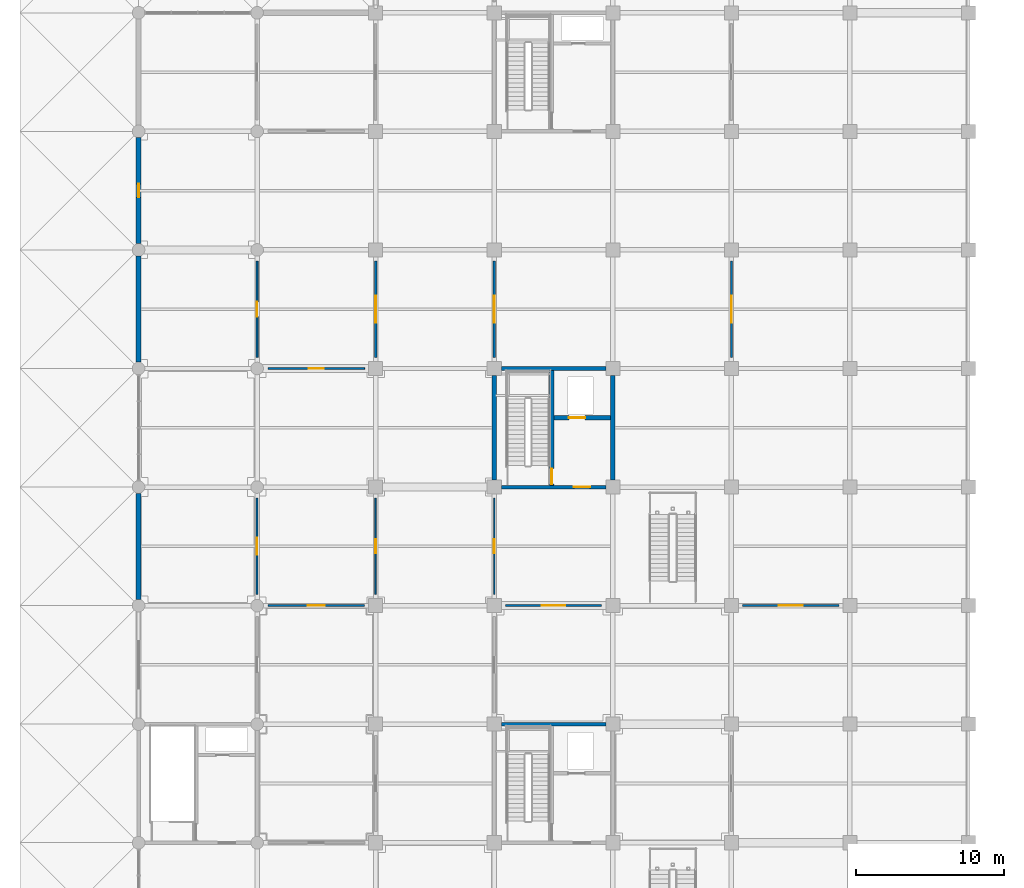
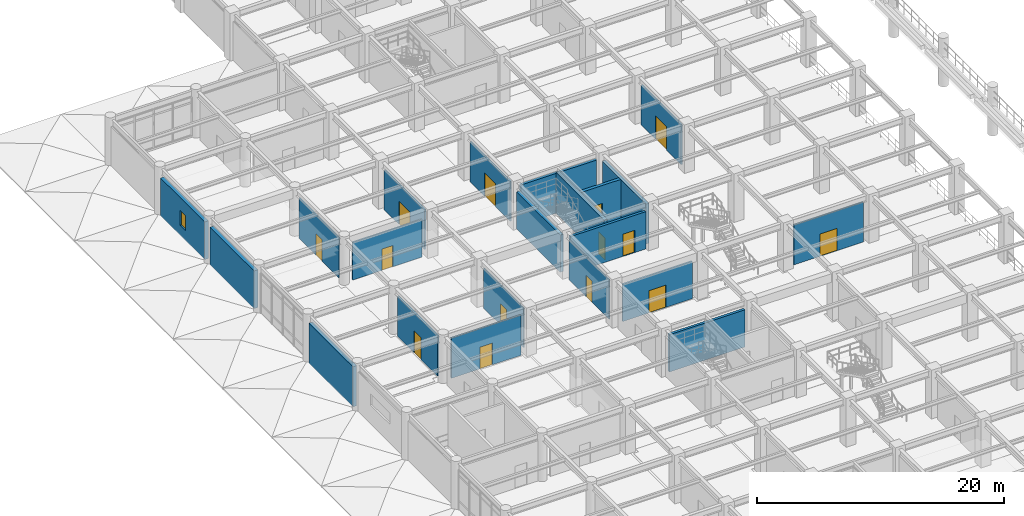
# One storey, part 72 of 109: 21 walls, 14 doors, 1 window, 15 openings.
"""IFC4 building model written with IfcOpenShell, lengths in metres."""

from ifc_helpers import new_model, si_unit, direction, frame, frame_2d, origin, place, context, subcontext, project, spatial, rectangle, extrude, material, layer, layer_set, type_object, element, fill, save


model = new_model("IFC4")

# Units and contexts
model_context = context("Model", 3, precision=1e-05, world=origin(), true_north=direction((0.0, 1.0)))
body_context = subcontext(model_context, "Body", "Model", "MODEL_VIEW")
ifc_project = project(units=[si_unit("LENGTHUNIT", "METRE"), si_unit("AREAUNIT", "SQUARE_METRE"), si_unit("VOLUMEUNIT", "CUBIC_METRE"), si_unit("PLANEANGLEUNIT", "RADIAN"), si_unit("MASSUNIT", "GRAM", prefix="KILO")], contexts=[model_context])

# Site, building, storey
site_placement = place(None, origin())
site = spatial("IfcSite", under=ifc_project, at=site_placement, CompositionType="ELEMENT")
building_placement = place(site_placement, origin())
building = spatial("IfcBuilding", under=site, at=building_placement, Name="Haebicheon Civic Stadium", CompositionType="ELEMENT")
storey_placement = place(building_placement, frame((0.0, 0.0, 9.60009765625)))
storey = spatial("IfcBuildingStorey", under=building, at=storey_placement, Name="L03", CompositionType="ELEMENT", Elevation=9.60009765625)

# Wall
ifc_material_1 = material(Name="Concrete C40/50", Category="concrete")
ifc_layer_1 = layer(ifc_material_1, 0.239990234375, Name="Concrete C40/50")
ifc_layer_set_1 = layer_set([ifc_layer_1], Name="Concrete C40/50")
wall_type_1 = type_object("IfcWallType", Name="CW-SHR-240", PredefinedType="SHEAR", material=ifc_layer_set_1)
wall_1_placement = place(storey_placement, frame((32.47509765625, 88.0, 0.0), z_axis=(0.0, 0.0, 1.0), x_axis=(1.0, 0.0, 0.0)))
element("IfcWall", 1, at=wall_1_placement, inside=storey, type_object=wall_type_1, material=ifc_layer_set_1, Name="KC-03 L03 north core shear wall", PredefinedType="SHEAR", context=body_context, shape_type="SweptSolid", body=[
    extrude(rectangle(XDim=7.0498046875, YDim=0.239990234375, at=frame_2d((3.52490234375, 0.0))), origin(), (0.0, 0.0, 1.0), 3.679931640625),
])

# Wall, opening, door
wall_2_placement = place(storey_placement, frame((32.47509765625, 104.0, 0.0), z_axis=(0.0, 0.0, 1.0), x_axis=(1.0, 0.0, 0.0)))
wall_2 = element("IfcWall", 2, at=wall_2_placement, inside=storey, type_object=wall_type_1, material=ifc_layer_set_1, Name="KC-04 L03 south core shear wall", PredefinedType="SHEAR", context=body_context, shape_type="SweptSolid", body=[
    extrude(rectangle(XDim=7.0498046875, YDim=0.239990234375, at=frame_2d((3.52490234375, 0.0))), origin(), (0.0, 0.0, 1.0), 3.679931640625),
])
opening_1_placement = place(wall_2_placement, frame((4.89990234375, 0.0, 0.0)))
opening_1 = element("IfcOpeningElement", 3, at=opening_1_placement, cuts=wall_2, Name="Opening D-L03-KC-04-LOB", PredefinedType="OPENING", context=body_context, shape_type="SweptSolid", body=[
    extrude(rectangle(XDim=1.10009765625, YDim=2.199951171875, at=frame_2d((0.550048828125, 1.10009765625))), frame((0.0, 0.1298828125, 0.0), z_axis=(0.0, -1.0, 0.0), x_axis=(1.0, 0.0, 0.0)), (0.0, 0.0, 1.0), 0.260009765625),
])
ifc_material_2 = material(Name="Galvanised painted steel SM355", Category="steel")
door_type_1 = type_object("IfcDoorType", Name="ID-FD-1100", OperationType="NOTDEFINED", PredefinedType="DOOR", material=ifc_material_2)
door_1_placement = place(opening_1_placement, origin())
door_1 = element("IfcDoor", 4, at=door_1_placement, inside=storey, type_object=door_type_1, material=ifc_material_2, Name="L03 KC-04 lobby fire door", OperationType="SINGLE_SWING_RIGHT", OverallHeight=2.199951171875, OverallWidth=1.10009765625, PredefinedType="DOOR", context=body_context, shape_type="SweptSolid", body=[
    extrude(rectangle(XDim=1.10009765625, YDim=2.199951171875, at=frame_2d((0.550048828125, 1.10009765625))), frame((0.0, 0.02490234375, 0.0), z_axis=(0.0, -1.0, 0.0), x_axis=(1.0, 0.0, 0.0)), (0.0, 0.0, 1.0), 0.050048828125),
])
fill(opening_1, door_1)

# Walls
wall_3_placement = place(storey_placement, frame((32.47509765625, 112.0, 0.0), z_axis=(0.0, 0.0, 1.0), x_axis=(1.0, 0.0, 0.0)))
element("IfcWall", 5, at=wall_3_placement, inside=storey, type_object=wall_type_1, material=ifc_layer_set_1, Name="KC-04 L03 north core shear wall", PredefinedType="SHEAR", context=body_context, shape_type="SweptSolid", body=[
    extrude(rectangle(XDim=7.0498046875, YDim=0.239990234375, at=frame_2d((3.52490234375, 0.0))), origin(), (0.0, 0.0, 1.0), 3.929931640625),
])
ifc_material_3 = material(Name="Concrete C40/50", Category="concrete")
ifc_layer_2 = layer(ifc_material_3, 0.300048828125, Name="Concrete C40/50")
ifc_layer_set_2 = layer_set([ifc_layer_2], Name="Concrete C40/50")
wall_type_2 = type_object("IfcWallType", Name="CW-SHR-300", PredefinedType="SHEAR", material=ifc_layer_set_2)
wall_4_placement = place(storey_placement, frame((32.0, 104.47509765625, 0.0), z_axis=(0.0, 0.0, 1.0), x_axis=(0.0, 1.0, 0.0)))
element("IfcWall", 6, at=wall_4_placement, inside=storey, type_object=wall_type_2, material=ifc_layer_set_2, Name="KC-04 L03 west core shear wall", PredefinedType="SHEAR", context=body_context, shape_type="SweptSolid", body=[
    extrude(rectangle(XDim=7.0498046875, YDim=0.300048828125, at=frame_2d((3.52490234375, 0.0))), origin(), (0.0, 0.0, 1.0), 3.679931640625),
])
wall_5_placement = place(storey_placement, frame((40.0, 104.47509765625, 0.0), z_axis=(0.0, 0.0, 1.0), x_axis=(0.0, 1.0, 0.0)))
element("IfcWall", 7, at=wall_5_placement, inside=storey, type_object=wall_type_2, material=ifc_layer_set_2, Name="KC-04 L03 east core shear wall", PredefinedType="SHEAR", context=body_context, shape_type="SweptSolid", body=[
    extrude(rectangle(XDim=7.0498046875, YDim=0.300048828125, at=frame_2d((3.52490234375, 0.0))), origin(), (0.0, 0.0, 1.0), 3.929931640625),
])

# Wall, opening, door
wall_6_placement = place(storey_placement, frame((35.8798828125, 104.1201171875, 0.0), z_axis=(0.0, 0.0, 1.0), x_axis=(0.0, 1.0, 0.0)))
wall_6 = element("IfcWall", 8, at=wall_6_placement, inside=storey, type_object=wall_type_2, material=ifc_layer_set_2, Name="KC-04 L03 stair-lobby dividing shear wall", PredefinedType="SHEAR", context=body_context, shape_type="SweptSolid", body=[
    extrude(rectangle(XDim=7.759765625, YDim=0.300048828125, at=frame_2d((3.8798828125, 0.0))), origin(), (0.0, 0.0, 1.0), 4.02978515625),
])
opening_2_placement = place(wall_6_placement, frame((0.080078125, 0.0, 0.0)))
opening_2 = element("IfcOpeningElement", 9, at=opening_2_placement, cuts=wall_6, Name="Opening D-L03-KC-04-STR", PredefinedType="OPENING", context=body_context, shape_type="SweptSolid", body=[
    extrude(rectangle(XDim=1.050048828125, YDim=2.14990234375, at=frame_2d((0.52490234375, 1.074951171875))), frame((0.0, 0.159912109375, 0.0), z_axis=(0.0, -1.0, 0.0), x_axis=(1.0, 0.0, 0.0)), (0.0, 0.0, 1.0), 0.320068359375),
])
ifc_material_4 = material(Name="Galvanised painted steel SM355", Category="steel")
door_type_2 = type_object("IfcDoorType", Name="ID-FD-1050", OperationType="NOTDEFINED", PredefinedType="DOOR", material=ifc_material_4)
door_2_placement = place(opening_2_placement, origin())
door_2 = element("IfcDoor", 10, at=door_2_placement, inside=storey, type_object=door_type_2, material=ifc_material_4, Name="L03 ST-04 stairwell escape door", OperationType="SINGLE_SWING_LEFT", OverallHeight=2.14990234375, OverallWidth=1.050048828125, PredefinedType="DOOR", context=body_context, shape_type="SweptSolid", body=[
    extrude(rectangle(XDim=1.050048828125, YDim=2.14990234375, at=frame_2d((0.52490234375, 1.074951171875))), frame((0.0, 0.02490234375, 0.0), z_axis=(0.0, -1.0, 0.0), x_axis=(1.0, 0.0, 0.0)), (0.0, 0.0, 1.0), 0.050048828125),
])
fill(opening_2, door_2)

wall_7_placement = place(storey_placement, frame((36.030029296875, 108.679931640625, 0.0), z_axis=(0.0, 0.0, 1.0), x_axis=(1.0, 0.0, 0.0)))
wall_7 = element("IfcWall", 11, at=wall_7_placement, inside=storey, type_object=wall_type_2, material=ifc_layer_set_2, Name="KC-04 L03 lift shaft front wall", PredefinedType="SHEAR", context=body_context, shape_type="SweptSolid", body=[
    extrude(rectangle(XDim=3.820068359375, YDim=0.300048828125, at=frame_2d((1.91015625, 0.0))), origin(), (0.0, 0.0, 1.0), 3.929931640625),
])
opening_3_placement = place(wall_7_placement, frame((1.0, 0.0, 0.0)))
opening_3 = element("IfcOpeningElement", 12, at=opening_3_placement, cuts=wall_7, Name="Opening LD-04-L03", PredefinedType="OPENING", context=body_context, shape_type="SweptSolid", body=[
    extrude(rectangle(XDim=1.10009765625, YDim=2.14990234375, at=frame_2d((0.550048828125, 1.074951171875))), frame((0.0, 0.159912109375, 0.0), z_axis=(0.0, -1.0, 0.0), x_axis=(1.0, 0.0, 0.0)), (0.0, 0.0, 1.0), 0.320068359375),
])
ifc_material_5 = material(Name="Stainless steel 316", Category="steel")
door_type_3 = type_object("IfcDoorType", Name="ID-LD-1100", OperationType="NOTDEFINED", PredefinedType="DOOR", material=ifc_material_5)
door_3_placement = place(opening_3_placement, origin())
door_3 = element("IfcDoor", 13, at=door_3_placement, inside=storey, type_object=door_type_3, material=ifc_material_5, Name="LF-04 lift landing sliding door L03", OperationType="SLIDING_TO_LEFT", OverallHeight=2.14990234375, OverallWidth=1.10009765625, PredefinedType="DOOR", context=body_context, shape_type="SweptSolid", body=[
    extrude(rectangle(XDim=1.10009765625, YDim=2.14990234375, at=frame_2d((0.550048828125, 1.074951171875))), frame((0.0, 0.02490234375, 0.0), z_axis=(0.0, -1.0, 0.0), x_axis=(1.0, 0.0, 0.0)), (0.0, 0.0, 1.0), 0.050048828125),
])
fill(opening_3, door_3)

# Walls
ifc_material_6 = material(Name="Concrete C40/50", Category="concrete")
ifc_layer_3 = layer(ifc_material_6, 0.35009765625, Name="Concrete C40/50")
ifc_layer_set_3 = layer_set([ifc_layer_3], Name="Concrete C40/50")
wall_type_3 = type_object("IfcWallType", Name="EW-BM-350", PredefinedType="SOLIDWALL", material=ifc_layer_set_3)
wall_8_placement = place(storey_placement, frame((8.0, 96.425048828125, 0.0), z_axis=(0.0, 0.0, 1.0), x_axis=(0.0, 1.0, 0.0)))
element("IfcWall", 14, at=wall_8_placement, inside=storey, type_object=wall_type_3, material=ifc_layer_set_3, Name="L03 board-marked concrete facade wall 01-12-W", PredefinedType="SOLIDWALL", context=body_context, shape_type="SweptSolid", body=[
    extrude(rectangle(XDim=7.14990234375, YDim=0.35009765625, at=frame_2d((3.574951171875, 0.0))), origin(), (0.0, 0.0, 1.0), 3.949951171875),
])
wall_9_placement = place(storey_placement, frame((8.0, 112.425048828125, 0.0), z_axis=(0.0, 0.0, 1.0), x_axis=(0.0, 1.0, 0.0)))
element("IfcWall", 15, at=wall_9_placement, inside=storey, type_object=wall_type_3, material=ifc_layer_set_3, Name="L03 board-marked concrete facade wall 01-14-W", PredefinedType="SOLIDWALL", context=body_context, shape_type="SweptSolid", body=[
    extrude(rectangle(XDim=7.14990234375, YDim=0.35009765625, at=frame_2d((3.574951171875, 0.0))), origin(), (0.0, 0.0, 1.0), 3.719970703125),
])

# Wall, opening, window
wall_10_placement = place(storey_placement, frame((8.0, 120.425048828125, 0.0), z_axis=(0.0, 0.0, 1.0), x_axis=(0.0, 1.0, 0.0)))
wall_10 = element("IfcWall", 16, at=wall_10_placement, inside=storey, type_object=wall_type_3, material=ifc_layer_set_3, Name="L03 board-marked concrete facade wall 01-15-W", PredefinedType="SOLIDWALL", context=body_context, shape_type="SweptSolid", body=[
    extrude(rectangle(XDim=7.14990234375, YDim=0.35009765625, at=frame_2d((3.574951171875, 0.0))), origin(), (0.0, 0.0, 1.0), 3.719970703125),
])
opening_4_placement = place(wall_10_placement, frame((3.125, 0.0, 0.949951171875)))
opening_4 = element("IfcOpeningElement", 17, at=opening_4_placement, cuts=wall_10, Name="Opening WIN-090x150", PredefinedType="OPENING", context=body_context, shape_type="SweptSolid", body=[
    extrude(rectangle(XDim=0.89990234375, YDim=1.5, at=frame_2d((0.449951171875, 0.75))), frame((0.0, 0.18505859375, 0.0), z_axis=(0.0, -1.0, 0.0), x_axis=(1.0, 0.0, 0.0)), (0.0, 0.0, 1.0), 0.3701171875),
])
ifc_material_7 = material(Name="Anodised aluminium and laminated glass", Category="aluminium")
window_type = type_object("IfcWindowType", Name="WIN-090x150", PartitioningType="SINGLE_PANEL", PredefinedType="WINDOW", material=ifc_material_7)
window_placement = place(opening_4_placement, origin())
window = element("IfcWindow", 18, at=window_placement, inside=storey, type_object=window_type, material=ifc_material_7, Name="L03 facade window 067", OverallHeight=1.5, OverallWidth=0.89990234375, PartitioningType="SINGLE_PANEL", PredefinedType="WINDOW", context=body_context, shape_type="SweptSolid", body=[
    extrude(rectangle(XDim=0.89990234375, YDim=1.5, at=frame_2d((0.449951171875, 0.75))), frame((0.0, 0.030029296875, 0.0), z_axis=(0.0, -1.0, 0.0), x_axis=(1.0, 0.0, 0.0)), (0.0, 0.0, 1.0), 0.06005859375),
])
fill(opening_4, window)

# Wall, opening, door
ifc_material_8 = material(Name="Anodised aluminium and laminated glass", Category="aluminium")
ifc_layer_4 = layer(ifc_material_8, 0.10009765625, Name="Anodised aluminium and laminated glass")
ifc_layer_set_4 = layer_set([ifc_layer_4], Name="Anodised aluminium and laminated glass")
wall_type_4 = type_object("IfcWallType", Name="IW-PRT-100", PredefinedType="PARTITIONING", material=ifc_layer_set_4)
wall_11_placement = place(storey_placement, frame((24.0, 96.75, 0.0), z_axis=(0.0, 0.0, 1.0), x_axis=(0.0, 1.0, 0.0)))
wall_11 = element("IfcWall", 19, at=wall_11_placement, inside=storey, type_object=wall_type_4, material=ifc_layer_set_4, Name="L03 Supporters' Club Lounge partition wall", PredefinedType="PARTITIONING", context=body_context, shape_type="SweptSolid", body=[
    extrude(rectangle(XDim=6.5, YDim=0.10009765625, at=frame_2d((3.25, 0.0))), origin(), (0.0, 0.0, 1.0), 3.929931640625),
])
opening_5_placement = place(wall_11_placement, frame((2.77490234375, 0.0, 0.0)))
opening_5 = element("IfcOpeningElement", 20, at=opening_5_placement, cuts=wall_11, Name="Opening D-L03-269", PredefinedType="OPENING", context=body_context, shape_type="SweptSolid", body=[
    extrude(rectangle(XDim=0.949951171875, YDim=2.10009765625, at=frame_2d((0.47509765625, 1.050048828125))), frame((0.0, 0.06005859375, 0.0), z_axis=(0.0, -1.0, 0.0), x_axis=(1.0, 0.0, 0.0)), (0.0, 0.0, 1.0), 0.1201171875),
])
ifc_material_9 = material(Name="Engineered hardwood timber", Category="wood")
door_type_4 = type_object("IfcDoorType", Name="ID-RM-0950", OperationType="NOTDEFINED", PredefinedType="DOOR", material=ifc_material_9)
door_4_placement = place(opening_5_placement, origin())
door_4 = element("IfcDoor", 21, at=door_4_placement, inside=storey, type_object=door_type_4, material=ifc_material_9, Name="L03 Supporters' Club Lounge entrance door D-L03-269", OperationType="SINGLE_SWING_LEFT", OverallHeight=2.10009765625, OverallWidth=0.949951171875, PredefinedType="DOOR", context=body_context, shape_type="SweptSolid", body=[
    extrude(rectangle(XDim=0.949951171875, YDim=2.10009765625, at=frame_2d((0.47509765625, 1.050048828125))), frame((0.0, 0.02490234375, 0.0), z_axis=(0.0, -1.0, 0.0), x_axis=(1.0, 0.0, 0.0)), (0.0, 0.0, 1.0), 0.050048828125),
])
fill(opening_5, door_4)

wall_12_placement = place(storey_placement, frame((32.0, 96.75, 0.0), z_axis=(0.0, 0.0, 1.0), x_axis=(0.0, 1.0, 0.0)))
wall_12 = element("IfcWall", 22, at=wall_12_placement, inside=storey, type_object=wall_type_4, material=ifc_layer_set_4, Name="L03 Supporters' Club Lounge partition wall", PredefinedType="PARTITIONING", context=body_context, shape_type="SweptSolid", body=[
    extrude(rectangle(XDim=6.5, YDim=0.10009765625, at=frame_2d((3.25, 0.0))), origin(), (0.0, 0.0, 1.0), 3.929931640625),
])
opening_6_placement = place(wall_12_placement, frame((2.77490234375, 0.0, 0.0)))
opening_6 = element("IfcOpeningElement", 23, at=opening_6_placement, cuts=wall_12, Name="Opening D-L03-277", PredefinedType="OPENING", context=body_context, shape_type="SweptSolid", body=[
    extrude(rectangle(XDim=0.949951171875, YDim=2.10009765625, at=frame_2d((0.47509765625, 1.050048828125))), frame((0.0, 0.06005859375, 0.0), z_axis=(0.0, -1.0, 0.0), x_axis=(1.0, 0.0, 0.0)), (0.0, 0.0, 1.0), 0.1201171875),
])
door_5_placement = place(opening_6_placement, origin())
door_5 = element("IfcDoor", 24, at=door_5_placement, inside=storey, type_object=door_type_4, material=ifc_material_9, Name="L03 Supporters' Club Lounge entrance door D-L03-277", OperationType="SINGLE_SWING_LEFT", OverallHeight=2.10009765625, OverallWidth=0.949951171875, PredefinedType="DOOR", context=body_context, shape_type="SweptSolid", body=[
    extrude(rectangle(XDim=0.949951171875, YDim=2.10009765625, at=frame_2d((0.47509765625, 1.050048828125))), frame((0.0, 0.02490234375, 0.0), z_axis=(0.0, -1.0, 0.0), x_axis=(1.0, 0.0, 0.0)), (0.0, 0.0, 1.0), 0.050048828125),
])
fill(opening_6, door_5)

ifc_material_10 = material(Name="Gypsum plasterboard on steel studs", Category="gypsum")
ifc_layer_5 = layer(ifc_material_10, 0.1201171875, Name="Gypsum plasterboard on steel studs")
ifc_layer_set_5 = layer_set([ifc_layer_5], Name="Gypsum plasterboard on steel studs")
wall_type_5 = type_object("IfcWallType", Name="IW-PRT-120", PredefinedType="PARTITIONING", material=ifc_layer_set_5)
wall_13_placement = place(storey_placement, frame((16.0, 112.75, 0.0), z_axis=(0.0, 0.0, 1.0), x_axis=(0.0, 1.0, 0.0)))
wall_13 = element("IfcWall", 25, at=wall_13_placement, inside=storey, type_object=wall_type_5, material=ifc_layer_set_5, Name="L03 West Boulevard Viewing Gallery partition wall", PredefinedType="PARTITIONING", context=body_context, shape_type="SweptSolid", body=[
    extrude(rectangle(XDim=6.5, YDim=0.1201171875, at=frame_2d((3.25, 0.0))), origin(), (0.0, 0.0, 1.0), 3.969970703125),
])
opening_7_placement = place(wall_13_placement, frame((2.75, 0.0, 0.0)))
opening_7 = element("IfcOpeningElement", 26, at=opening_7_placement, cuts=wall_13, Name="Opening D-L03-342", PredefinedType="OPENING", context=body_context, shape_type="SweptSolid", body=[
    extrude(rectangle(XDim=1.0, YDim=2.10009765625, at=frame_2d((0.5, 1.050048828125))), frame((0.0, 0.070068359375, 0.0), z_axis=(0.0, -1.0, 0.0), x_axis=(1.0, 0.0, 0.0)), (0.0, 0.0, 1.0), 0.14013671875),
])
ifc_material_11 = material(Name="Engineered hardwood timber", Category="wood")
door_type_5 = type_object("IfcDoorType", Name="ID-RM-1000", OperationType="NOTDEFINED", PredefinedType="DOOR", material=ifc_material_11)
door_6_placement = place(opening_7_placement, origin())
door_6 = element("IfcDoor", 27, at=door_6_placement, inside=storey, type_object=door_type_5, material=ifc_material_11, Name="L03 West Boulevard Viewing Gallery entrance door D-L03-342", OperationType="SINGLE_SWING_RIGHT", OverallHeight=2.10009765625, OverallWidth=1.0, PredefinedType="DOOR", context=body_context, shape_type="SweptSolid", body=[
    extrude(rectangle(XDim=1.0, YDim=2.10009765625, at=frame_2d((0.5, 1.050048828125))), frame((0.0, 0.02490234375, 0.0), z_axis=(0.0, -1.0, 0.0), x_axis=(1.0, 0.0, 0.0)), (0.0, 0.0, 1.0), 0.050048828125),
])
fill(opening_7, door_6)

ifc_material_12 = material(Name="Gypsum plasterboard on steel studs", Category="gypsum")
ifc_layer_6 = layer(ifc_material_12, 0.1298828125, Name="Gypsum plasterboard on steel studs")
ifc_layer_set_6 = layer_set([ifc_layer_6], Name="Gypsum plasterboard on steel studs")
wall_type_6 = type_object("IfcWallType", Name="IW-PRT-130", PredefinedType="PARTITIONING", material=ifc_layer_set_6)
wall_14_placement = place(storey_placement, frame((16.75, 112.0, 0.0), z_axis=(0.0, 0.0, 1.0), x_axis=(1.0, 0.0, 0.0)))
wall_14 = element("IfcWall", 28, at=wall_14_placement, inside=storey, type_object=wall_type_6, material=ifc_layer_set_6, Name="L03 West Boulevard Viewing Gallery partition wall", PredefinedType="PARTITIONING", context=body_context, shape_type="SweptSolid", body=[
    extrude(rectangle(XDim=6.5, YDim=0.1298828125, at=frame_2d((3.25, 0.0))), origin(), (0.0, 0.0, 1.0), 3.719970703125),
])
opening_8_placement = place(wall_14_placement, frame((2.75, 0.0, 0.0)))
opening_8 = element("IfcOpeningElement", 29, at=opening_8_placement, cuts=wall_14, Name="Opening D-L03-348", PredefinedType="OPENING", context=body_context, shape_type="SweptSolid", body=[
    extrude(rectangle(XDim=1.0, YDim=2.10009765625, at=frame_2d((0.5, 1.050048828125))), frame((0.0, 0.074951171875, 0.0), z_axis=(0.0, -1.0, 0.0), x_axis=(1.0, 0.0, 0.0)), (0.0, 0.0, 1.0), 0.14990234375),
])
door_7_placement = place(opening_8_placement, origin())
door_7 = element("IfcDoor", 30, at=door_7_placement, inside=storey, type_object=door_type_5, material=ifc_material_11, Name="L03 West Boulevard Viewing Gallery entrance door D-L03-348", OperationType="SINGLE_SWING_RIGHT", OverallHeight=2.10009765625, OverallWidth=1.0, PredefinedType="DOOR", context=body_context, shape_type="SweptSolid", body=[
    extrude(rectangle(XDim=1.0, YDim=2.10009765625, at=frame_2d((0.5, 1.050048828125))), frame((0.0, 0.02490234375, 0.0), z_axis=(0.0, -1.0, 0.0), x_axis=(1.0, 0.0, 0.0)), (0.0, 0.0, 1.0), 0.050048828125),
])
fill(opening_8, door_7)

ifc_material_13 = material(Name="Gypsum plasterboard on steel studs", Category="gypsum")
ifc_layer_7 = layer(ifc_material_13, 0.14990234375, Name="Gypsum plasterboard on steel studs")
ifc_layer_set_7 = layer_set([ifc_layer_7], Name="Gypsum plasterboard on steel studs")
wall_type_7 = type_object("IfcWallType", Name="IW-PRT-150", PredefinedType="PARTITIONING", material=ifc_layer_set_7)
wall_15_placement = place(storey_placement, frame((24.0, 112.75, 0.0), z_axis=(0.0, 0.0, 1.0), x_axis=(0.0, 1.0, 0.0)))
wall_15 = element("IfcWall", 31, at=wall_15_placement, inside=storey, type_object=wall_type_7, material=ifc_layer_set_7, Name="L03 Club Dining Hall partition wall", PredefinedType="PARTITIONING", context=body_context, shape_type="SweptSolid", body=[
    extrude(rectangle(XDim=6.5, YDim=0.14990234375, at=frame_2d((3.25, 0.0))), origin(), (0.0, 0.0, 1.0), 3.929931640625),
])
opening_9_placement = place(wall_15_placement, frame((2.35009765625, 0.0, 0.0)))
opening_9 = element("IfcOpeningElement", 32, at=opening_9_placement, cuts=wall_15, Name="Opening D-L03-270", PredefinedType="OPENING", context=body_context, shape_type="SweptSolid", body=[
    extrude(rectangle(XDim=1.800048828125, YDim=2.300048828125, at=frame_2d((0.89990234375, 1.14990234375))), frame((0.0, 0.0849609375, 0.0), z_axis=(0.0, -1.0, 0.0), x_axis=(1.0, 0.0, 0.0)), (0.0, 0.0, 1.0), 0.169921875),
])
ifc_material_14 = material(Name="Galvanised painted steel SM355", Category="steel")
door_type_6 = type_object("IfcDoorType", Name="ID-DBL-1800", OperationType="NOTDEFINED", PredefinedType="DOOR", material=ifc_material_14)
door_8_placement = place(opening_9_placement, origin())
door_8 = element("IfcDoor", 33, at=door_8_placement, inside=storey, type_object=door_type_6, material=ifc_material_14, Name="L03 Club Dining Hall entrance door D-L03-270", OperationType="DOUBLE_SWING_LEFT", OverallHeight=2.300048828125, OverallWidth=1.800048828125, PredefinedType="DOOR", context=body_context, shape_type="SweptSolid", body=[
    extrude(rectangle(XDim=1.800048828125, YDim=2.300048828125, at=frame_2d((0.89990234375, 1.14990234375))), frame((0.0, 0.02490234375, 0.0), z_axis=(0.0, -1.0, 0.0), x_axis=(1.0, 0.0, 0.0)), (0.0, 0.0, 1.0), 0.050048828125),
])
fill(opening_9, door_8)

wall_16_placement = place(storey_placement, frame((32.75, 96.0, 0.0), z_axis=(0.0, 0.0, 1.0), x_axis=(1.0, 0.0, 0.0)))
wall_16 = element("IfcWall", 34, at=wall_16_placement, inside=storey, type_object=wall_type_7, material=ifc_layer_set_7, Name="L03 Supporters' Club Lounge partition wall", PredefinedType="PARTITIONING", context=body_context, shape_type="SweptSolid", body=[
    extrude(rectangle(XDim=6.5, YDim=0.14990234375, at=frame_2d((3.25, 0.0))), origin(), (0.0, 0.0, 1.0), 3.679931640625),
])
opening_10_placement = place(wall_16_placement, frame((2.449951171875, 0.0, 0.0)))
opening_10 = element("IfcOpeningElement", 35, at=opening_10_placement, cuts=wall_16, Name="Opening D-L03-278", PredefinedType="OPENING", context=body_context, shape_type="SweptSolid", body=[
    extrude(rectangle(XDim=1.60009765625, YDim=2.199951171875, at=frame_2d((0.800048828125, 1.10009765625))), frame((0.0, 0.0849609375, 0.0), z_axis=(0.0, -1.0, 0.0), x_axis=(1.0, 0.0, 0.0)), (0.0, 0.0, 1.0), 0.169921875),
])
ifc_material_15 = material(Name="Anodised aluminium and laminated glass", Category="aluminium")
door_type_7 = type_object("IfcDoorType", Name="ID-DBL-1600", OperationType="NOTDEFINED", PredefinedType="DOOR", material=ifc_material_15)
door_9_placement = place(opening_10_placement, origin())
door_9 = element("IfcDoor", 36, at=door_9_placement, inside=storey, type_object=door_type_7, material=ifc_material_15, Name="L03 Supporters' Club Lounge entrance door D-L03-278", OperationType="DOUBLE_SWING_LEFT", OverallHeight=2.199951171875, OverallWidth=1.60009765625, PredefinedType="DOOR", context=body_context, shape_type="SweptSolid", body=[
    extrude(rectangle(XDim=1.60009765625, YDim=2.199951171875, at=frame_2d((0.800048828125, 1.10009765625))), frame((0.0, 0.02490234375, 0.0), z_axis=(0.0, -1.0, 0.0), x_axis=(1.0, 0.0, 0.0)), (0.0, 0.0, 1.0), 0.050048828125),
])
fill(opening_10, door_9)

wall_17_placement = place(storey_placement, frame((32.0, 112.75, 0.0), z_axis=(0.0, 0.0, 1.0), x_axis=(0.0, 1.0, 0.0)))
wall_17 = element("IfcWall", 37, at=wall_17_placement, inside=storey, type_object=wall_type_7, material=ifc_layer_set_7, Name="L03 Club Dining Hall partition wall", PredefinedType="PARTITIONING", context=body_context, shape_type="SweptSolid", body=[
    extrude(rectangle(XDim=6.5, YDim=0.14990234375, at=frame_2d((3.25, 0.0))), origin(), (0.0, 0.0, 1.0), 3.929931640625),
])
opening_11_placement = place(wall_17_placement, frame((2.35009765625, 0.0, 0.0)))
opening_11 = element("IfcOpeningElement", 38, at=opening_11_placement, cuts=wall_17, Name="Opening D-L03-279", PredefinedType="OPENING", context=body_context, shape_type="SweptSolid", body=[
    extrude(rectangle(XDim=1.800048828125, YDim=2.300048828125, at=frame_2d((0.89990234375, 1.14990234375))), frame((0.0, 0.0849609375, 0.0), z_axis=(0.0, -1.0, 0.0), x_axis=(1.0, 0.0, 0.0)), (0.0, 0.0, 1.0), 0.169921875),
])
door_10_placement = place(opening_11_placement, origin())
door_10 = element("IfcDoor", 39, at=door_10_placement, inside=storey, type_object=door_type_6, material=ifc_material_14, Name="L03 Club Dining Hall entrance door D-L03-279", OperationType="DOUBLE_SWING_LEFT", OverallHeight=2.300048828125, OverallWidth=1.800048828125, PredefinedType="DOOR", context=body_context, shape_type="SweptSolid", body=[
    extrude(rectangle(XDim=1.800048828125, YDim=2.300048828125, at=frame_2d((0.89990234375, 1.14990234375))), frame((0.0, 0.02490234375, 0.0), z_axis=(0.0, -1.0, 0.0), x_axis=(1.0, 0.0, 0.0)), (0.0, 0.0, 1.0), 0.050048828125),
])
fill(opening_11, door_10)

wall_18_placement = place(storey_placement, frame((48.75, 96.0, 0.0), z_axis=(0.0, 0.0, 1.0), x_axis=(1.0, 0.0, 0.0)))
wall_18 = element("IfcWall", 40, at=wall_18_placement, inside=storey, type_object=wall_type_7, material=ifc_layer_set_7, Name="L03 Supporters' Club Lounge partition wall", PredefinedType="PARTITIONING", context=body_context, shape_type="SweptSolid", body=[
    extrude(rectangle(XDim=6.5, YDim=0.14990234375, at=frame_2d((3.25, 0.0))), origin(), (0.0, 0.0, 1.0), 3.929931640625),
])
opening_12_placement = place(wall_18_placement, frame((2.449951171875, 0.0, 0.0)))
opening_12 = element("IfcOpeningElement", 41, at=opening_12_placement, cuts=wall_18, Name="Opening D-L03-286", PredefinedType="OPENING", context=body_context, shape_type="SweptSolid", body=[
    extrude(rectangle(XDim=1.60009765625, YDim=2.199951171875, at=frame_2d((0.800048828125, 1.10009765625))), frame((0.0, 0.0849609375, 0.0), z_axis=(0.0, -1.0, 0.0), x_axis=(1.0, 0.0, 0.0)), (0.0, 0.0, 1.0), 0.169921875),
])
door_11_placement = place(opening_12_placement, origin())
door_11 = element("IfcDoor", 42, at=door_11_placement, inside=storey, type_object=door_type_7, material=ifc_material_15, Name="L03 Supporters' Club Lounge entrance door D-L03-286", OperationType="DOUBLE_SWING_LEFT", OverallHeight=2.199951171875, OverallWidth=1.60009765625, PredefinedType="DOOR", context=body_context, shape_type="SweptSolid", body=[
    extrude(rectangle(XDim=1.60009765625, YDim=2.199951171875, at=frame_2d((0.800048828125, 1.10009765625))), frame((0.0, 0.02490234375, 0.0), z_axis=(0.0, -1.0, 0.0), x_axis=(1.0, 0.0, 0.0)), (0.0, 0.0, 1.0), 0.050048828125),
])
fill(opening_12, door_11)

wall_19_placement = place(storey_placement, frame((48.0, 112.75, 0.0), z_axis=(0.0, 0.0, 1.0), x_axis=(0.0, 1.0, 0.0)))
wall_19 = element("IfcWall", 43, at=wall_19_placement, inside=storey, type_object=wall_type_7, material=ifc_layer_set_7, Name="L03 Club Dining Hall partition wall", PredefinedType="PARTITIONING", context=body_context, shape_type="SweptSolid", body=[
    extrude(rectangle(XDim=6.5, YDim=0.14990234375, at=frame_2d((3.25, 0.0))), origin(), (0.0, 0.0, 1.0), 3.929931640625),
])
opening_13_placement = place(wall_19_placement, frame((2.35009765625, 0.0, 0.0)))
opening_13 = element("IfcOpeningElement", 44, at=opening_13_placement, cuts=wall_19, Name="Opening D-L03-287", PredefinedType="OPENING", context=body_context, shape_type="SweptSolid", body=[
    extrude(rectangle(XDim=1.800048828125, YDim=2.300048828125, at=frame_2d((0.89990234375, 1.14990234375))), frame((0.0, 0.0849609375, 0.0), z_axis=(0.0, -1.0, 0.0), x_axis=(1.0, 0.0, 0.0)), (0.0, 0.0, 1.0), 0.169921875),
])
door_12_placement = place(opening_13_placement, origin())
door_12 = element("IfcDoor", 45, at=door_12_placement, inside=storey, type_object=door_type_6, material=ifc_material_14, Name="L03 Club Dining Hall entrance door D-L03-287", OperationType="DOUBLE_SWING_LEFT", OverallHeight=2.300048828125, OverallWidth=1.800048828125, PredefinedType="DOOR", context=body_context, shape_type="SweptSolid", body=[
    extrude(rectangle(XDim=1.800048828125, YDim=2.300048828125, at=frame_2d((0.89990234375, 1.14990234375))), frame((0.0, 0.02490234375, 0.0), z_axis=(0.0, -1.0, 0.0), x_axis=(1.0, 0.0, 0.0)), (0.0, 0.0, 1.0), 0.050048828125),
])
fill(opening_13, door_12)

wall_20_placement = place(storey_placement, frame((16.0, 96.75, 0.0), z_axis=(0.0, 0.0, 1.0), x_axis=(0.0, 1.0, 0.0)))
wall_20 = element("IfcWall", 46, at=wall_20_placement, inside=storey, type_object=wall_type_7, material=ifc_layer_set_7, Name="L03 Civic Education Studio partition wall", PredefinedType="PARTITIONING", context=body_context, shape_type="SweptSolid", body=[
    extrude(rectangle(XDim=6.5, YDim=0.14990234375, at=frame_2d((3.25, 0.0))), origin(), (0.0, 0.0, 1.0), 3.969970703125),
])
opening_14_placement = place(wall_20_placement, frame((2.675048828125, 0.0, 0.0)))
opening_14 = element("IfcOpeningElement", 47, at=opening_14_placement, cuts=wall_20, Name="Opening D-L03-341", PredefinedType="OPENING", context=body_context, shape_type="SweptSolid", body=[
    extrude(rectangle(XDim=1.14990234375, YDim=2.14990234375, at=frame_2d((0.574951171875, 1.074951171875))), frame((0.0, 0.0849609375, 0.0), z_axis=(0.0, -1.0, 0.0), x_axis=(1.0, 0.0, 0.0)), (0.0, 0.0, 1.0), 0.169921875),
])
ifc_material_16 = material(Name="Engineered hardwood timber", Category="wood")
door_type_8 = type_object("IfcDoorType", Name="ID-RM-1150", OperationType="NOTDEFINED", PredefinedType="DOOR", material=ifc_material_16)
door_13_placement = place(opening_14_placement, origin())
door_13 = element("IfcDoor", 48, at=door_13_placement, inside=storey, type_object=door_type_8, material=ifc_material_16, Name="L03 Civic Education Studio entrance door D-L03-341", OperationType="SINGLE_SWING_LEFT", OverallHeight=2.14990234375, OverallWidth=1.14990234375, PredefinedType="DOOR", context=body_context, shape_type="SweptSolid", body=[
    extrude(rectangle(XDim=1.14990234375, YDim=2.14990234375, at=frame_2d((0.574951171875, 1.074951171875))), frame((0.0, 0.02490234375, 0.0), z_axis=(0.0, -1.0, 0.0), x_axis=(1.0, 0.0, 0.0)), (0.0, 0.0, 1.0), 0.050048828125),
])
fill(opening_14, door_13)

wall_21_placement = place(storey_placement, frame((16.75, 96.0, 0.0), z_axis=(0.0, 0.0, 1.0), x_axis=(1.0, 0.0, 0.0)))
wall_21 = element("IfcWall", 49, at=wall_21_placement, inside=storey, type_object=wall_type_7, material=ifc_layer_set_7, Name="L03 Civic Education Studio partition wall", PredefinedType="PARTITIONING", context=body_context, shape_type="SweptSolid", body=[
    extrude(rectangle(XDim=6.5, YDim=0.14990234375, at=frame_2d((3.25, 0.0))), origin(), (0.0, 0.0, 1.0), 3.969970703125),
])
opening_15_placement = place(wall_21_placement, frame((2.675048828125, 0.0, 0.0)))
opening_15 = element("IfcOpeningElement", 50, at=opening_15_placement, cuts=wall_21, Name="Opening D-L03-347", PredefinedType="OPENING", context=body_context, shape_type="SweptSolid", body=[
    extrude(rectangle(XDim=1.14990234375, YDim=2.14990234375, at=frame_2d((0.574951171875, 1.074951171875))), frame((0.0, 0.0849609375, 0.0), z_axis=(0.0, -1.0, 0.0), x_axis=(1.0, 0.0, 0.0)), (0.0, 0.0, 1.0), 0.169921875),
])
door_14_placement = place(opening_15_placement, origin())
door_14 = element("IfcDoor", 51, at=door_14_placement, inside=storey, type_object=door_type_8, material=ifc_material_16, Name="L03 Civic Education Studio entrance door D-L03-347", OperationType="SINGLE_SWING_LEFT", OverallHeight=2.14990234375, OverallWidth=1.14990234375, PredefinedType="DOOR", context=body_context, shape_type="SweptSolid", body=[
    extrude(rectangle(XDim=1.14990234375, YDim=2.14990234375, at=frame_2d((0.574951171875, 1.074951171875))), frame((0.0, 0.02490234375, 0.0), z_axis=(0.0, -1.0, 0.0), x_axis=(1.0, 0.0, 0.0)), (0.0, 0.0, 1.0), 0.050048828125),
])
fill(opening_15, door_14)

save(model, "model.ifc")
